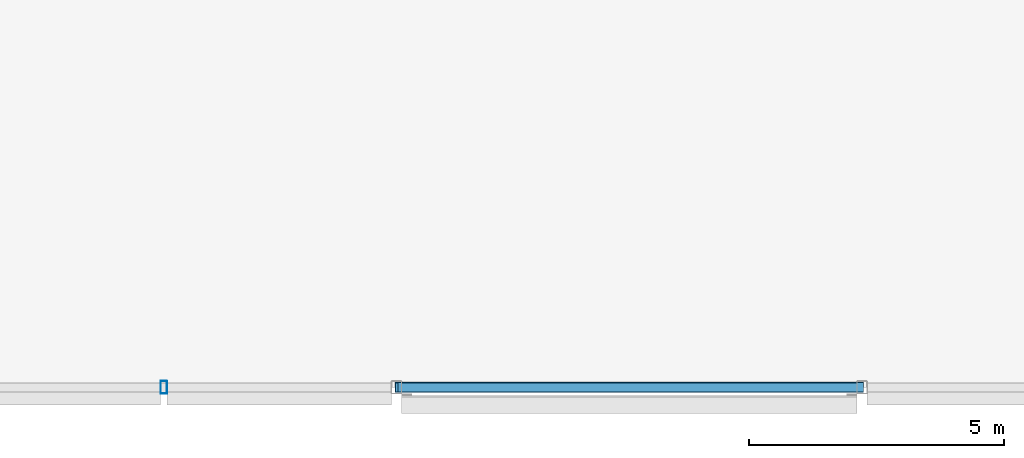
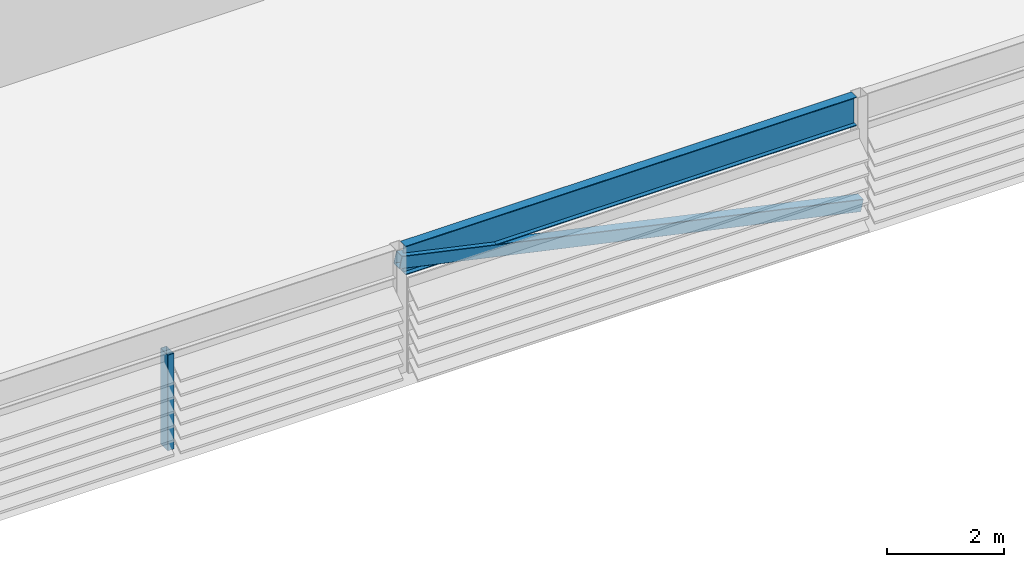
# One storey, part 6 of 27: 2 members, 1 beam.
"""IFC4 building model written with IfcOpenShell, lengths in metres."""

from ifc_helpers import new_model, si_unit, direction, frame, origin, origin_2d, place, context, subcontext, project, spatial, hollow_rectangle, i_section, extrude, material, material_profile, profile_set, type_object, element, save


model = new_model("IFC4")

# Units and contexts
model_context = context("Model", 3, precision=1e-05, world=origin(), true_north=direction((0.0, 1.0)))
body_context = subcontext(model_context, "Body", "Model", "MODEL_VIEW")
ifc_project = project(units=[si_unit("LENGTHUNIT", "METRE"), si_unit("AREAUNIT", "SQUARE_METRE"), si_unit("VOLUMEUNIT", "CUBIC_METRE"), si_unit("PLANEANGLEUNIT", "RADIAN"), si_unit("MASSUNIT", "GRAM", prefix="KILO")], contexts=[model_context])

# Site, building, storey
site_placement = place(None, origin())
site = spatial("IfcSite", under=ifc_project, at=site_placement, CompositionType="ELEMENT")
building_placement = place(site_placement, origin())
building = spatial("IfcBuilding", under=site, at=building_placement, Name="Madar Terraces", CompositionType="ELEMENT")
storey_placement = place(building_placement, frame((0.0, 0.0, 314.300048828125)))
storey = spatial("IfcBuildingStorey", under=building, at=storey_placement, Name="L81", CompositionType="ELEMENT", Elevation=314.300048828125)

# Beam
ifc_material_1 = material(Name="Steel ASTM A992 Grade 50", Category="steel")
ifc_material_profile_1 = material_profile(ifc_material_1, i_section(OverallWidth=0.1787109375, OverallDepth=0.60205078125, WebThickness=0.010986328125, FlangeThickness=0.014892578125, at=origin_2d()), Name="W24x62")
ifc_profile_set_1 = profile_set([ifc_material_profile_1], Name="Steel ASTM A992 Grade 50")
beam_type = type_object("IfcBeamType", Name="CF2 W24x62", PredefinedType="BEAM", material=ifc_profile_set_1)
beam_placement = place(storey_placement, frame((24.341552734375, 1.199951171875, 2.299072265625), z_axis=(1.0, 0.0, 0.0), x_axis=(0.0, 1.0, 0.0)))
element("IfcBeam", 1, at=beam_placement, inside=storey, type_object=beam_type, Name="Crown frame ring beam CF2", PredefinedType="BEAM", context=body_context, shape_type="SweptSolid", body=[
    extrude(i_section(OverallWidth=0.1787109375, OverallDepth=0.60205078125, WebThickness=0.010986328125, FlangeThickness=0.014892578125, at=origin_2d()), origin(), (0.0, 0.0, 1.0), 8.916748046875),
])

# Members
ifc_material_2 = material(Name="Steel ASTM A500 Grade C", Category="steel")
ifc_material_profile_2 = material_profile(ifc_material_2, hollow_rectangle(XDim=0.203125, YDim=0.25390625, WallThickness=0.009521484375, InnerFilletRadius=0.00439453125, OuterFilletRadius=0.01318359375, at=origin_2d()), Name="HSS10x8x.375")
ifc_profile_set_2 = profile_set([ifc_material_profile_2], Name="Steel ASTM A500 Grade C")
member_type_1 = type_object("IfcMemberType", Name="CF5 crown frame brace HSS10x8x.375", PredefinedType="BRACE", material=ifc_profile_set_2)
member_1_placement = place(storey_placement, frame((24.239990234375, 1.199951171875, 2.299072265625), z_axis=(0.976810543859, 0.0, -0.214105491303), x_axis=(0.0, 1.0, 0.0)))
element("IfcMember", 2, at=member_1_placement, inside=storey, type_object=member_type_1, Name="Crown frame brace CF5", PredefinedType="BRACE", context=body_context, shape_type="SweptSolid", body=[
    extrude(hollow_rectangle(XDim=0.203125, YDim=0.25390625, WallThickness=0.009521484375, InnerFilletRadius=0.00439453125, OuterFilletRadius=0.01318359375, at=origin_2d()), origin(), (0.0, 0.0, 1.0), 9.336669921875),
])
ifc_material_3 = material(Name="Steel ASTM A500 Grade C", Category="steel")
ifc_material_profile_3 = material_profile(ifc_material_3, hollow_rectangle(XDim=0.126953125, YDim=0.25390625, WallThickness=0.00634765625, InnerFilletRadius=0.0029296875, OuterFilletRadius=0.0087890625, at=origin_2d()), Name="HSS10x5x.25")
ifc_profile_set_3 = profile_set([ifc_material_profile_3], Name="Steel ASTM A500 Grade C")
member_type_2 = type_object("IfcMemberType", Name="LS2 HSS10x5x.25", PredefinedType="POST", material=ifc_profile_set_3)
member_2_placement = place(storey_placement, frame((19.679931640625, 1.199951171875, 0.0), z_axis=(0.0, 0.0, 1.0), x_axis=(1.0, 0.0, 0.0)))
element("IfcMember", 3, at=member_2_placement, inside=storey, type_object=member_type_2, Name="Crown louvre post LS2", PredefinedType="POST", context=body_context, shape_type="SweptSolid", body=[
    extrude(hollow_rectangle(XDim=0.126953125, YDim=0.25390625, WallThickness=0.00634765625, InnerFilletRadius=0.0029296875, OuterFilletRadius=0.0087890625, at=origin_2d()), origin(), (0.0, 0.0, 1.0), 1.998046875),
])

save(model, "model.ifc")
